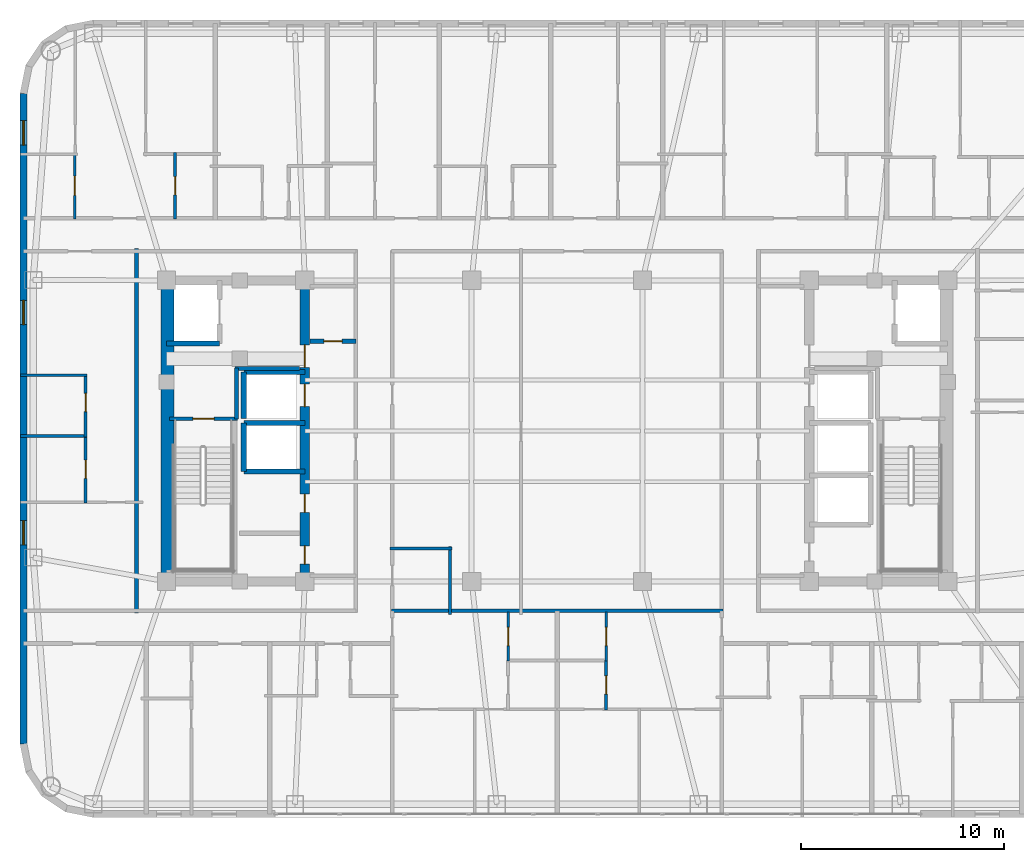
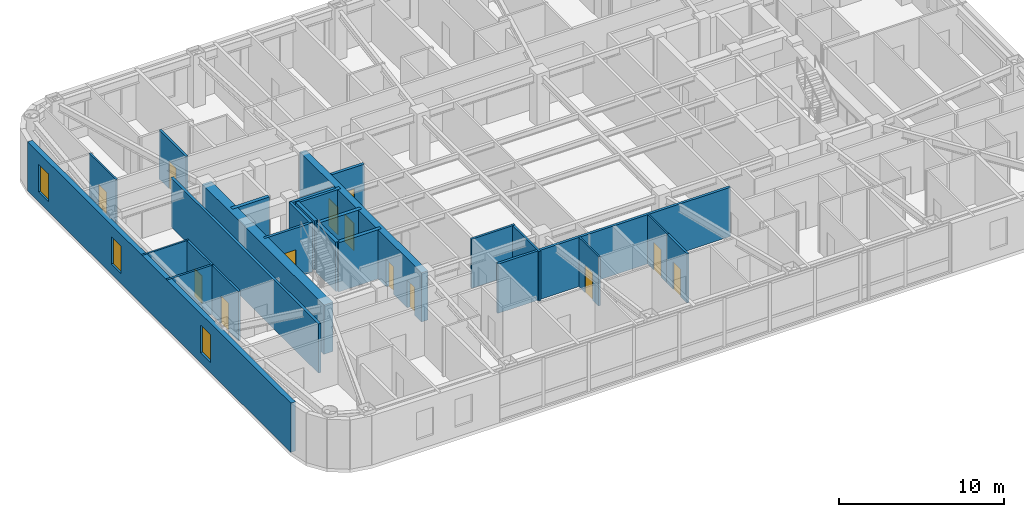
# One storey, part 9 of 17: 26 walls, 13 doors, 3 windows, 16 openings.
"""IFC4 building model written with IfcOpenShell, lengths in metres."""

from ifc_helpers import new_model, si_unit, direction, frame, frame_2d, origin, place, context, subcontext, project, spatial, rectangle, extrude, material, layer, layer_set, type_object, element, fill, save


model = new_model("IFC4")

# Units and contexts
model_context = context("Model", 3, precision=1e-05, world=origin(), true_north=direction((0.0, 1.0)))
body_context = subcontext(model_context, "Body", "Model", "MODEL_VIEW")
ifc_project = project(units=[si_unit("LENGTHUNIT", "METRE"), si_unit("AREAUNIT", "SQUARE_METRE"), si_unit("VOLUMEUNIT", "CUBIC_METRE"), si_unit("PLANEANGLEUNIT", "RADIAN"), si_unit("MASSUNIT", "GRAM", prefix="KILO")], contexts=[model_context])

# Site, building, storey
site_placement = place(None, origin())
site = spatial("IfcSite", under=ifc_project, at=site_placement, CompositionType="ELEMENT")
building_placement = place(site_placement, origin())
building = spatial("IfcBuilding", under=site, at=building_placement, Name="Voryun Gate Residences", CompositionType="ELEMENT")
storey_placement = place(building_placement, frame((0.0, 0.0, 204.10009765625)))
storey = spatial("IfcBuildingStorey", under=building, at=storey_placement, Name="L50", CompositionType="ELEMENT", Elevation=204.10009765625)

# Wall, openings, doors
ifc_material_1 = material(Name="Concrete C50/60", Category="concrete")
ifc_layer_1 = layer(ifc_material_1, 0.449951171875, Name="CW_CORE_450")
ifc_layer_set_1 = layer_set([ifc_layer_1], Name="Concrete C50/60")
wall_type_1 = type_object("IfcWallType", Name="CW_CORE_450", PredefinedType="SHEAR", material=ifc_layer_set_1)
wall_1_placement = place(storey_placement, frame((-12.39990234375, -7.39990234375, 0.0), z_axis=(0.0, 0.0, 1.0), x_axis=(0.0, 1.0, 0.0)))
wall_1 = element("IfcWall", 1, at=wall_1_placement, inside=storey, type_object=wall_type_1, Name="L50 Core shear wall CW-L50-WE", PredefinedType="SHEAR", context=body_context, shape_type="SweptSolid", body=[
    extrude(rectangle(XDim=14.7998046875, YDim=0.449951171875, at=frame_2d((7.39990234375, 0.0))), origin(), (0.0, 0.0, 1.0), 3.64990234375),
])
opening_1_placement = place(wall_1_placement, frame((8.60009765625, 0.0, 0.0)))
opening_1 = element("IfcOpeningElement", 2, at=opening_1_placement, cuts=wall_1, Name="Opening LD2", PredefinedType="OPENING", context=body_context, shape_type="SweptSolid", body=[
    extrude(rectangle(XDim=1.10009765625, YDim=2.050048828125, at=frame_2d((0.550048828125, 1.02490234375))), frame((0.0, 0.235107421875, 0.0), z_axis=(0.0, -1.0, 0.0), x_axis=(1.0, 0.0, 0.0)), (0.0, 0.0, 1.0), 0.469970703125),
])
opening_2_placement = place(wall_1_placement, frame((10.530029296875, 0.0, 0.0)))
opening_2 = element("IfcOpeningElement", 3, at=opening_2_placement, cuts=wall_1, Name="Opening D-FD60-2", PredefinedType="OPENING", context=body_context, shape_type="SweptSolid", body=[
    extrude(rectangle(XDim=1.10009765625, YDim=2.050048828125, at=frame_2d((0.550048828125, 1.02490234375))), frame((0.0, 0.235107421875, 0.0), z_axis=(0.0, -1.0, 0.0), x_axis=(1.0, 0.0, 0.0)), (0.0, 0.0, 1.0), 0.469970703125),
])
opening_3_placement = place(wall_1_placement, frame((0.85009765625, 0.0, 0.0)))
opening_3 = element("IfcOpeningElement", 4, at=opening_3_placement, cuts=wall_1, Name="Opening D-FD60-4", PredefinedType="OPENING", context=body_context, shape_type="SweptSolid", body=[
    extrude(rectangle(XDim=0.89990234375, YDim=2.050048828125, at=frame_2d((0.449951171875, 1.02490234375))), frame((0.0, 0.235107421875, 0.0), z_axis=(0.0, -1.0, 0.0), x_axis=(1.0, 0.0, 0.0)), (0.0, 0.0, 1.0), 0.469970703125),
])
opening_4_placement = place(wall_1_placement, frame((3.39990234375, 0.0, 0.0)))
opening_4 = element("IfcOpeningElement", 5, at=opening_4_placement, cuts=wall_1, Name="Opening D-FD60-4", PredefinedType="OPENING", context=body_context, shape_type="SweptSolid", body=[
    extrude(rectangle(XDim=0.89990234375, YDim=2.050048828125, at=frame_2d((0.449951171875, 1.02490234375))), frame((0.0, 0.235107421875, 0.0), z_axis=(0.0, -1.0, 0.0), x_axis=(1.0, 0.0, 0.0)), (0.0, 0.0, 1.0), 0.469970703125),
])
ifc_material_2 = material(Name="Painted steel fire door", Category="steel")
door_type_1 = type_object("IfcDoorType", Name="DR_FD60_FFLOB_1100", OperationType="NOTDEFINED", PredefinedType="DOOR", material=ifc_material_2)
door_1_placement = place(opening_2_placement, origin())
door_1 = element("IfcDoor", 6, at=door_1_placement, inside=storey, type_object=door_type_1, Name="Door DR-L50-CLOB-W", OperationType="SINGLE_SWING_LEFT", OverallHeight=2.050048828125, OverallWidth=1.10009765625, PredefinedType="DOOR", context=body_context, shape_type="SweptSolid", body=[
    extrude(rectangle(XDim=1.10009765625, YDim=2.050048828125, at=frame_2d((0.550048828125, 1.02490234375))), frame((0.0, 0.02490234375, 0.0), z_axis=(0.0, -1.0, 0.0), x_axis=(1.0, 0.0, 0.0)), (0.0, 0.0, 1.0), 0.050048828125),
])
fill(opening_2, door_1)
ifc_material_3 = material(Name="Painted steel fire door", Category="steel")
door_type_2 = type_object("IfcDoorType", Name="DR_FD60_RISER_900", OperationType="NOTDEFINED", PredefinedType="DOOR", material=ifc_material_3)
door_2_placement = place(opening_3_placement, origin())
door_2 = element("IfcDoor", 7, at=door_2_placement, inside=storey, type_object=door_type_2, Name="Door DR-L50-RECWB1", OperationType="SINGLE_SWING_LEFT", OverallHeight=2.050048828125, OverallWidth=0.89990234375, PredefinedType="DOOR", context=body_context, shape_type="SweptSolid", body=[
    extrude(rectangle(XDim=0.89990234375, YDim=2.050048828125, at=frame_2d((0.449951171875, 1.02490234375))), frame((0.0, 0.02490234375, 0.0), z_axis=(0.0, -1.0, 0.0), x_axis=(1.0, 0.0, 0.0)), (0.0, 0.0, 1.0), 0.050048828125),
])
fill(opening_3, door_2)
door_3_placement = place(opening_4_placement, origin())
door_3 = element("IfcDoor", 8, at=door_3_placement, inside=storey, type_object=door_type_2, Name="Door DR-L50-RECWB2", OperationType="SINGLE_SWING_RIGHT", OverallHeight=2.050048828125, OverallWidth=0.89990234375, PredefinedType="DOOR", context=body_context, shape_type="SweptSolid", body=[
    extrude(rectangle(XDim=0.89990234375, YDim=2.050048828125, at=frame_2d((0.449951171875, 1.02490234375))), frame((0.0, 0.02490234375, 0.0), z_axis=(0.0, -1.0, 0.0), x_axis=(1.0, 0.0, 0.0)), (0.0, 0.0, 1.0), 0.050048828125),
])
fill(opening_4, door_3)
ifc_material_4 = material(Name="Anodised aluminium", Category="aluminium")
door_type_3 = type_object("IfcDoorType", Name="DR_LD_PASS_1100", OperationType="NOTDEFINED", PredefinedType="DOOR", material=ifc_material_4)
door_4_placement = place(opening_1_placement, origin())
door_4 = element("IfcDoor", 9, at=door_4_placement, inside=storey, type_object=door_type_3, Name="Lift EL-P7 sliding landing door L50", OperationType="SLIDING_TO_LEFT", OverallHeight=2.050048828125, OverallWidth=1.10009765625, PredefinedType="DOOR", context=body_context, shape_type="SweptSolid", body=[
    extrude(rectangle(XDim=1.10009765625, YDim=2.050048828125, at=frame_2d((0.550048828125, 1.02490234375))), frame((0.0, 0.02490234375, 0.0), z_axis=(0.0, -1.0, 0.0), x_axis=(1.0, 0.0, 0.0)), (0.0, 0.0, 1.0), 0.050048828125),
])
fill(opening_1, door_4)

# Wall
ifc_material_5 = material(Name="Concrete C60/75", Category="concrete")
ifc_layer_2 = layer(ifc_material_5, 0.64990234375, Name="CW_CORE_650")
ifc_layer_set_2 = layer_set([ifc_layer_2], Name="Concrete C60/75")
wall_type_2 = type_object("IfcWallType", Name="CW_CORE_650", PredefinedType="SHEAR", material=ifc_layer_set_2)
wall_2_placement = place(storey_placement, frame((-19.14501953125, -7.39990234375, 0.0), z_axis=(0.0, 0.0, 1.0), x_axis=(0.0, 1.0, 0.0)))
element("IfcWall", 10, at=wall_2_placement, inside=storey, type_object=wall_type_2, Name="L50 Core shear wall CW-L50-WW", PredefinedType="SHEAR", context=body_context, shape_type="SweptSolid", body=[
    extrude(rectangle(XDim=14.7998046875, YDim=0.64990234375, at=frame_2d((7.39990234375, 0.0))), origin(), (0.0, 0.0, 1.0), 3.64990234375),
])

# Wall, opening, door
ifc_material_6 = material(Name="Gypsum acoustic fireboard")
ifc_layer_3 = layer(ifc_material_6, 0.179931640625, Name="W_CORR_RATED_180")
ifc_layer_set_3 = layer_set([ifc_layer_3], Name="Gypsum acoustic fireboard")
wall_type_3 = type_object("IfcWallType", Name="W_CORR_RATED_180", PredefinedType="PARTITIONING", material=ifc_layer_set_3)
wall_3_placement = place(storey_placement, frame((-19.06005859375, 0.60009765625, 0.0), z_axis=(0.0, 0.0, 1.0), x_axis=(1.0, 0.0, 0.0)))
wall_3 = element("IfcWall", 11, at=wall_3_placement, inside=storey, type_object=wall_type_3, Name="Partition wall WP-L50-STV-W", PredefinedType="PARTITIONING", context=body_context, shape_type="SweptSolid", body=[
    extrude(rectangle(XDim=3.360107421875, YDim=0.179931640625, at=frame_2d((1.68017578125, 0.0))), origin(), (0.0, 0.0, 1.0), 3.64990234375),
])
opening_5_placement = place(wall_3_placement, frame((1.155029296875, 0.0, 0.0)))
opening_5 = element("IfcOpeningElement", 12, at=opening_5_placement, cuts=wall_3, Name="Opening D-FD60-1", PredefinedType="OPENING", context=body_context, shape_type="SweptSolid", body=[
    extrude(rectangle(XDim=1.050048828125, YDim=2.050048828125, at=frame_2d((0.52490234375, 1.02490234375))), frame((0.0, 0.099853515625, 0.0), z_axis=(0.0, -1.0, 0.0), x_axis=(1.0, 0.0, 0.0)), (0.0, 0.0, 1.0), 0.199951171875),
])
ifc_material_7 = material(Name="Painted steel fire door", Category="steel")
door_type_4 = type_object("IfcDoorType", Name="DR_FD60_STAIR_1050", OperationType="NOTDEFINED", PredefinedType="DOOR", material=ifc_material_7)
door_5_placement = place(opening_5_placement, origin())
door_5 = element("IfcDoor", 13, at=door_5_placement, inside=storey, type_object=door_type_4, Name="Door DR-L50-ST-W", OperationType="SINGLE_SWING_LEFT", OverallHeight=2.050048828125, OverallWidth=1.050048828125, PredefinedType="DOOR", context=body_context, shape_type="SweptSolid", body=[
    extrude(rectangle(XDim=1.050048828125, YDim=2.050048828125, at=frame_2d((0.52490234375, 1.02490234375))), frame((0.0, 0.02490234375, 0.0), z_axis=(0.0, -1.0, 0.0), x_axis=(1.0, 0.0, 0.0)), (0.0, 0.0, 1.0), 0.050048828125),
])
fill(opening_5, door_5)

# Walls
wall_4_placement = place(storey_placement, frame((-8.14990234375, -8.840087890625, 0.0), z_axis=(0.0, 0.0, 1.0), x_axis=(1.0, 0.0, 0.0)))
element("IfcWall", 14, at=wall_4_placement, inside=storey, type_object=wall_type_3, Name="Partition wall WP-L50-Z3S", PredefinedType="PARTITIONING", context=body_context, shape_type="SweptSolid", body=[
    extrude(rectangle(XDim=16.2998046875, YDim=0.179931640625, at=frame_2d((8.14990234375, 0.0))), origin(), (0.0, 0.0, 1.0), 3.64990234375),
])
wall_5_placement = place(storey_placement, frame((-20.669921875, -8.9599609375, 0.0), z_axis=(0.0, 0.0, 1.0), x_axis=(0.0, 1.0, 0.0)))
element("IfcWall", 15, at=wall_5_placement, inside=storey, type_object=wall_type_3, Name="Partition wall WP-L50-WCOR", PredefinedType="PARTITIONING", context=body_context, shape_type="SweptSolid", body=[
    extrude(rectangle(XDim=17.919921875, YDim=0.179931640625, at=frame_2d((8.9599609375, 0.0))), origin(), (0.0, 0.0, 1.0), 3.64990234375),
])

# Wall, openings, windows
ifc_material_8 = material(Name="Charcoal terracotta masonry", Category="masonry")
ifc_layer_4 = layer(ifc_material_8, 0.340087890625, Name="W_EXT_TERRACOTTA_340")
ifc_layer_set_4 = layer_set([ifc_layer_4], Name="Charcoal terracotta masonry")
wall_type_4 = type_object("IfcWallType", Name="W_EXT_TERRACOTTA_340", PredefinedType="ELEMENTEDWALL", material=ifc_layer_set_4)
wall_6_placement = place(storey_placement, frame((-26.22998046875, -15.38330078125, 0.0), z_axis=(0.0, 0.0, 1.0), x_axis=(0.0, 1.0, 0.0)))
wall_6 = element("IfcWall", 16, at=wall_6_placement, inside=storey, type_object=wall_type_4, Name="Exterior wall WEXT-L50-06", PredefinedType="ELEMENTEDWALL", context=body_context, shape_type="SweptSolid", body=[
    extrude(rectangle(XDim=31.966552734375, YDim=0.340087890625, at=frame_2d((15.9833984375, 0.0))), origin(), (0.0, 0.0, 1.0), 3.64990234375),
])
opening_6_placement = place(wall_6_placement, frame((29.431396484375, 0.0, 0.75)))
opening_6 = element("IfcOpeningElement", 17, at=opening_6_placement, cuts=wall_6, Name="Opening WN6", PredefinedType="OPENING", context=body_context, shape_type="SweptSolid", body=[
    extrude(rectangle(XDim=1.199951171875, YDim=2.050048828125, at=frame_2d((0.60009765625, 1.02490234375))), frame((0.0, 0.179931640625, 0.0), z_axis=(0.0, -1.0, 0.0), x_axis=(1.0, 0.0, 0.0)), (0.0, 0.0, 1.0), 0.360107421875),
])
opening_7_placement = place(wall_6_placement, frame((20.603271484375, 0.0, 0.75)))
opening_7 = element("IfcOpeningElement", 18, at=opening_7_placement, cuts=wall_6, Name="Opening WN6", PredefinedType="OPENING", context=body_context, shape_type="SweptSolid", body=[
    extrude(rectangle(XDim=1.199951171875, YDim=2.050048828125, at=frame_2d((0.60009765625, 1.02490234375))), frame((0.0, 0.179931640625, 0.0), z_axis=(0.0, -1.0, 0.0), x_axis=(1.0, 0.0, 0.0)), (0.0, 0.0, 1.0), 0.360107421875),
])
opening_8_placement = place(wall_6_placement, frame((9.7783203125, 0.0, 0.75)))
opening_8 = element("IfcOpeningElement", 19, at=opening_8_placement, cuts=wall_6, Name="Opening WN6", PredefinedType="OPENING", context=body_context, shape_type="SweptSolid", body=[
    extrude(rectangle(XDim=1.199951171875, YDim=2.050048828125, at=frame_2d((0.60009765625, 1.02490234375))), frame((0.0, 0.179931640625, 0.0), z_axis=(0.0, -1.0, 0.0), x_axis=(1.0, 0.0, 0.0)), (0.0, 0.0, 1.0), 0.360107421875),
])
ifc_material_9 = material(Name="Laminated low-E glass", Category="glass")
window_type = type_object("IfcWindowType", Name="WN_POD_SLOT_1200", PartitioningType="SINGLE_PANEL", PredefinedType="WINDOW", material=ifc_material_9)
window_1_placement = place(opening_6_placement, origin())
window_1 = element("IfcWindow", 20, at=window_1_placement, inside=storey, type_object=window_type, Name="Window WN-L50-DWFIX-02", OverallHeight=2.050048828125, OverallWidth=1.199951171875, PartitioningType="SINGLE_PANEL", PredefinedType="WINDOW", context=body_context, shape_type="SweptSolid", body=[
    extrude(rectangle(XDim=1.199951171875, YDim=2.050048828125, at=frame_2d((0.60009765625, 1.02490234375))), frame((0.0, 0.030029296875, 0.0), z_axis=(0.0, -1.0, 0.0), x_axis=(1.0, 0.0, 0.0)), (0.0, 0.0, 1.0), 0.06005859375),
])
fill(opening_6, window_1)
window_2_placement = place(opening_7_placement, origin())
window_2 = element("IfcWindow", 21, at=window_2_placement, inside=storey, type_object=window_type, Name="Window WN-L50-DWFIX-20", OverallHeight=2.050048828125, OverallWidth=1.199951171875, PartitioningType="SINGLE_PANEL", PredefinedType="WINDOW", context=body_context, shape_type="SweptSolid", body=[
    extrude(rectangle(XDim=1.199951171875, YDim=2.050048828125, at=frame_2d((0.60009765625, 1.02490234375))), frame((0.0, 0.030029296875, 0.0), z_axis=(0.0, -1.0, 0.0), x_axis=(1.0, 0.0, 0.0)), (0.0, 0.0, 1.0), 0.06005859375),
])
fill(opening_7, window_2)
window_3_placement = place(opening_8_placement, origin())
window_3 = element("IfcWindow", 22, at=window_3_placement, inside=storey, type_object=window_type, Name="Window WN-L50-DWFIX-21", OverallHeight=2.050048828125, OverallWidth=1.199951171875, PartitioningType="SINGLE_PANEL", PredefinedType="WINDOW", context=body_context, shape_type="SweptSolid", body=[
    extrude(rectangle(XDim=1.199951171875, YDim=2.050048828125, at=frame_2d((0.60009765625, 1.02490234375))), frame((0.0, 0.030029296875, 0.0), z_axis=(0.0, -1.0, 0.0), x_axis=(1.0, 0.0, 0.0)), (0.0, 0.0, 1.0), 0.06005859375),
])
fill(opening_8, window_3)

# Walls
ifc_material_10 = material(Name="Concrete C40/50", Category="concrete")
ifc_layer_5 = layer(ifc_material_10, 0.199951171875, Name="W_FF_LOBBY_200")
ifc_layer_set_5 = layer_set([ifc_layer_5], Name="Concrete C40/50")
wall_type_5 = type_object("IfcWallType", Name="W_FF_LOBBY_200", PredefinedType="PARTITIONING", material=ifc_layer_set_5)
wall_7_placement = place(storey_placement, frame((-15.760009765625, 0.580078125, 0.0), z_axis=(0.0, 0.0, 1.0), x_axis=(0.0, 1.0, 0.0)))
element("IfcWall", 23, at=wall_7_placement, inside=storey, type_object=wall_type_5, Name="Partition wall WP-L50-FFP0-W", PredefinedType="PARTITIONING", context=body_context, shape_type="SweptSolid", body=[
    extrude(rectangle(XDim=2.52001953125, YDim=0.199951171875, at=frame_2d((1.260009765625, 0.0))), origin(), (0.0, 0.0, 1.0), 3.64990234375),
])
wall_8_placement = place(storey_placement, frame((-15.820068359375, 3.06005859375, 0.0), z_axis=(0.0, 0.0, 1.0), x_axis=(1.0, 0.0, 0.0)))
element("IfcWall", 24, at=wall_8_placement, inside=storey, type_object=wall_type_5, Name="Partition wall WP-L50-FFPS-W", PredefinedType="PARTITIONING", context=body_context, shape_type="SweptSolid", body=[
    extrude(rectangle(XDim=3.16015625, YDim=0.199951171875, at=frame_2d((1.580078125, 0.0))), origin(), (0.0, 0.0, 1.0), 3.64990234375),
])

# Wall, opening, door
wall_9_placement = place(storey_placement, frame((-12.14990234375, 4.409912109375, 0.0), z_axis=(0.0, 0.0, 1.0), x_axis=(1.0, 0.0, 0.0)))
wall_9 = element("IfcWall", 25, at=wall_9_placement, inside=storey, type_object=wall_type_5, Name="Partition wall WP-L50-CSFLKS-W", PredefinedType="PARTITIONING", context=body_context, shape_type="SweptSolid", body=[
    extrude(rectangle(XDim=2.27001953125, YDim=0.199951171875, at=frame_2d((1.135009765625, 0.0))), origin(), (0.0, 0.0, 1.0), 3.64990234375),
])
opening_9_placement = place(wall_9_placement, frame((0.68505859375, 0.0, 0.0)))
opening_9 = element("IfcOpeningElement", 26, at=opening_9_placement, cuts=wall_9, Name="Opening D-FD60-4", PredefinedType="OPENING", context=body_context, shape_type="SweptSolid", body=[
    extrude(rectangle(XDim=0.89990234375, YDim=2.050048828125, at=frame_2d((0.449951171875, 1.02490234375))), frame((0.0, 0.110107421875, 0.0), z_axis=(0.0, -1.0, 0.0), x_axis=(1.0, 0.0, 0.0)), (0.0, 0.0, 1.0), 0.219970703125),
])
door_6_placement = place(opening_9_placement, origin())
door_6 = element("IfcDoor", 27, at=door_6_placement, inside=storey, type_object=door_type_2, Name="Door DR-L50-CSFLK-W", OperationType="SINGLE_SWING_LEFT", OverallHeight=2.050048828125, OverallWidth=0.89990234375, PredefinedType="DOOR", context=body_context, shape_type="SweptSolid", body=[
    extrude(rectangle(XDim=0.89990234375, YDim=2.050048828125, at=frame_2d((0.449951171875, 1.02490234375))), frame((0.0, 0.02490234375, 0.0), z_axis=(0.0, -1.0, 0.0), x_axis=(1.0, 0.0, 0.0)), (0.0, 0.0, 1.0), 0.050048828125),
])
fill(opening_9, door_6)

# Walls
ifc_material_11 = material(Name="Concrete C50/60", Category="concrete")
ifc_layer_6 = layer(ifc_material_11, 0.25, Name="W_SHAFT_RC250")
ifc_layer_set_6 = layer_set([ifc_layer_6], Name="Concrete C50/60")
wall_type_6 = type_object("IfcWallType", Name="W_SHAFT_RC250", PredefinedType="SOLIDWALL", material=ifc_layer_set_6)
wall_10_placement = place(storey_placement, frame((-19.199951171875, 4.300048828125, 0.0), z_axis=(0.0, 0.0, 1.0), x_axis=(1.0, 0.0, 0.0)))
element("IfcWall", 28, at=wall_10_placement, inside=storey, type_object=wall_type_6, Name="Lift shaft wall WSH-L50-EL-FF-W1-S", PredefinedType="SOLIDWALL", context=body_context, shape_type="SweptSolid", body=[
    extrude(rectangle(XDim=2.599853515625, YDim=0.25, at=frame_2d((1.2998046875, 0.0))), origin(), (0.0, 0.0, 1.0), 3.64990234375),
])
for number, where, z_axis, x_axis, name in (
    (29, (-15.39990234375, -2.0, 0.0), (0.0, 0.0, 1.0), (1.0, 0.0, 0.0), "Lift shaft wall WSH-L50-EL-P4-S"),
    (30, (-12.39990234375, 0.39990234375, 0.0), (0.0, 0.0, 1.0), (-1.0, 0.0, 0.0), "Lift shaft wall WSH-L50-EL-P4-N"),
):
    element("IfcWall", number, at=place(storey_placement, frame(where, z_axis=z_axis, x_axis=x_axis)), inside=storey, type_object=wall_type_6, Name=name, PredefinedType="SOLIDWALL", context=body_context, shape_type="SweptSolid", body=[
        extrude(rectangle(XDim=3.0, YDim=0.25, at=frame_2d((1.5, 0.0))), origin(), (0.0, 0.0, 1.0), 3.64990234375),
    ])
wall_11_placement = place(storey_placement, frame((-15.39990234375, 0.39990234375, 0.0), z_axis=(0.0, 0.0, 1.0), x_axis=(0.0, -1.0, 0.0)))
element("IfcWall", 31, at=wall_11_placement, inside=storey, type_object=wall_type_6, Name="Lift shaft wall WSH-L50-EL-P4-W", PredefinedType="SOLIDWALL", context=body_context, shape_type="SweptSolid", body=[
    extrude(rectangle(XDim=2.39990234375, YDim=0.25, at=frame_2d((1.199951171875, 0.0))), origin(), (0.0, 0.0, 1.0), 3.64990234375),
])
wall_12_placement = place(storey_placement, frame((-12.39990234375, 2.89990234375, 0.0), z_axis=(0.0, 0.0, 1.0), x_axis=(-1.0, 0.0, 0.0)))
element("IfcWall", 32, at=wall_12_placement, inside=storey, type_object=wall_type_6, Name="Lift shaft wall WSH-L50-EL-P7-N", PredefinedType="SOLIDWALL", context=body_context, shape_type="SweptSolid", body=[
    extrude(rectangle(XDim=3.0, YDim=0.25, at=frame_2d((1.5, 0.0))), origin(), (0.0, 0.0, 1.0), 3.64990234375),
])
wall_13_placement = place(storey_placement, frame((-15.39990234375, 2.89990234375, 0.0), z_axis=(0.0, 0.0, 1.0), x_axis=(0.0, -1.0, 0.0)))
element("IfcWall", 33, at=wall_13_placement, inside=storey, type_object=wall_type_6, Name="Lift shaft wall WSH-L50-EL-P7-W", PredefinedType="SOLIDWALL", context=body_context, shape_type="SweptSolid", body=[
    extrude(rectangle(XDim=2.2998046875, YDim=0.25, at=frame_2d((1.14990234375, 0.0))), origin(), (0.0, 0.0, 1.0), 3.64990234375),
])

# Wall, opening, door
ifc_material_12 = material(Name="Gypsum acoustic partition")
ifc_layer_7 = layer(ifc_material_12, 0.125, Name="W_UNIT_PART_125")
ifc_layer_set_7 = layer_set([ifc_layer_7], Name="Gypsum acoustic partition")
wall_type_7 = type_object("IfcWallType", Name="W_UNIT_PART_125", PredefinedType="PARTITIONING", material=ifc_layer_set_7)
wall_14_placement = place(storey_placement, frame((-23.705078125, 10.429931640625, 0.0), z_axis=(0.0, 0.0, 1.0), x_axis=(0.0, 1.0, 0.0)))
wall_14 = element("IfcWall", 34, at=wall_14_placement, inside=storey, type_object=wall_type_7, Name="Partition wall WP-L50-N1-IVK", PredefinedType="PARTITIONING", context=body_context, shape_type="SweptSolid", body=[
    extrude(rectangle(XDim=3.235595703125, YDim=0.125, at=frame_2d((1.61767578125, 0.0))), origin(), (0.0, 0.0, 1.0), 3.64990234375),
])
opening_10_placement = place(wall_14_placement, frame((1.151611328125, 0.0, 0.0)))
opening_10 = element("IfcOpeningElement", 35, at=opening_10_placement, cuts=wall_14, Name="Opening D-INT-1", PredefinedType="OPENING", context=body_context, shape_type="SweptSolid", body=[
    extrude(rectangle(XDim=0.949951171875, YDim=2.050048828125, at=frame_2d((0.47509765625, 1.02490234375))), frame((0.0, 0.072509765625, 0.0), z_axis=(0.0, -1.0, 0.0), x_axis=(1.0, 0.0, 0.0)), (0.0, 0.0, 1.0), 0.14501953125),
])
ifc_material_13 = material(Name="Architectural oak veneer")
door_type_5 = type_object("IfcDoorType", Name="DR_INT_ROOM_950", OperationType="NOTDEFINED", PredefinedType="DOOR", material=ifc_material_13)
door_7_placement = place(opening_10_placement, origin())
door_7 = element("IfcDoor", 36, at=door_7_placement, inside=storey, type_object=door_type_5, Name="Door DR-L50-N1-DK", OperationType="SINGLE_SWING_LEFT", OverallHeight=2.050048828125, OverallWidth=0.949951171875, PredefinedType="DOOR", context=body_context, shape_type="SweptSolid", body=[
    extrude(rectangle(XDim=0.949951171875, YDim=2.050048828125, at=frame_2d((0.47509765625, 1.02490234375))), frame((0.0, 0.02490234375, 0.0), z_axis=(0.0, -1.0, 0.0), x_axis=(1.0, 0.0, 0.0)), (0.0, 0.0, 1.0), 0.050048828125),
])
fill(opening_10, door_7)

wall_15_placement = place(storey_placement, frame((-2.409912109375, -11.31005859375, 0.0), z_axis=(0.0, 0.0, 1.0), x_axis=(0.0, 1.0, 0.0)))
wall_15 = element("IfcWall", 37, at=wall_15_placement, inside=storey, type_object=wall_type_7, Name="Partition wall WP-L50-SC1-VK1", PredefinedType="PARTITIONING", context=body_context, shape_type="SweptSolid", body=[
    extrude(rectangle(XDim=2.41015625, YDim=0.125, at=frame_2d((1.205078125, 0.0))), origin(), (0.0, 0.0, 1.0), 3.64990234375),
])
opening_11_placement = place(wall_15_placement, frame((0.7548828125, 0.0, 0.0)))
opening_11 = element("IfcOpeningElement", 38, at=opening_11_placement, cuts=wall_15, Name="Opening D-INT-2", PredefinedType="OPENING", context=body_context, shape_type="SweptSolid", body=[
    extrude(rectangle(XDim=0.89990234375, YDim=2.050048828125, at=frame_2d((0.449951171875, 1.02490234375))), frame((0.0, 0.072509765625, 0.0), z_axis=(0.0, -1.0, 0.0), x_axis=(1.0, 0.0, 0.0)), (0.0, 0.0, 1.0), 0.14501953125),
])
ifc_material_14 = material(Name="Architectural oak veneer")
door_type_6 = type_object("IfcDoorType", Name="DR_INT_BATH_900", OperationType="NOTDEFINED", PredefinedType="DOOR", material=ifc_material_14)
door_8_placement = place(opening_11_placement, origin())
door_8 = element("IfcDoor", 39, at=door_8_placement, inside=storey, type_object=door_type_6, Name="Door DR-L50-SC1-DK", OperationType="SINGLE_SWING_LEFT", OverallHeight=2.050048828125, OverallWidth=0.89990234375, PredefinedType="DOOR", context=body_context, shape_type="SweptSolid", body=[
    extrude(rectangle(XDim=0.89990234375, YDim=2.050048828125, at=frame_2d((0.449951171875, 1.02490234375))), frame((0.0, 0.02490234375, 0.0), z_axis=(0.0, -1.0, 0.0), x_axis=(1.0, 0.0, 0.0)), (0.0, 0.0, 1.0), 0.050048828125),
])
fill(opening_11, door_8)

wall_16_placement = place(storey_placement, frame((2.409912109375, -11.31005859375, 0.0), z_axis=(0.0, 0.0, 1.0), x_axis=(0.0, 1.0, 0.0)))
wall_16 = element("IfcWall", 40, at=wall_16_placement, inside=storey, type_object=wall_type_7, Name="Partition wall WP-L50-SC2-VK1", PredefinedType="PARTITIONING", context=body_context, shape_type="SweptSolid", body=[
    extrude(rectangle(XDim=2.41015625, YDim=0.125, at=frame_2d((1.205078125, 0.0))), origin(), (0.0, 0.0, 1.0), 3.64990234375),
])
opening_12_placement = place(wall_16_placement, frame((0.7548828125, 0.0, 0.0)))
opening_12 = element("IfcOpeningElement", 41, at=opening_12_placement, cuts=wall_16, Name="Opening D-INT-2", PredefinedType="OPENING", context=body_context, shape_type="SweptSolid", body=[
    extrude(rectangle(XDim=0.89990234375, YDim=2.050048828125, at=frame_2d((0.449951171875, 1.02490234375))), frame((0.0, 0.072509765625, 0.0), z_axis=(0.0, -1.0, 0.0), x_axis=(1.0, 0.0, 0.0)), (0.0, 0.0, 1.0), 0.14501953125),
])
door_9_placement = place(opening_12_placement, origin())
door_9 = element("IfcDoor", 42, at=door_9_placement, inside=storey, type_object=door_type_6, Name="Door DR-L50-SC2-DK", OperationType="SINGLE_SWING_LEFT", OverallHeight=2.050048828125, OverallWidth=0.89990234375, PredefinedType="DOOR", context=body_context, shape_type="SweptSolid", body=[
    extrude(rectangle(XDim=0.89990234375, YDim=2.050048828125, at=frame_2d((0.449951171875, 1.02490234375))), frame((0.0, 0.02490234375, 0.0), z_axis=(0.0, -1.0, 0.0), x_axis=(1.0, 0.0, 0.0)), (0.0, 0.0, 1.0), 0.050048828125),
])
fill(opening_12, door_9)

# Walls
wall_17_placement = place(storey_placement, frame((-26.3798828125, 2.739990234375, 0.0), z_axis=(0.0, 0.0, 1.0), x_axis=(1.0, 0.0, 0.0)))
element("IfcWall", 43, at=wall_17_placement, inside=storey, type_object=wall_type_7, Name="Partition wall WP-L50-W1-HZ1", PredefinedType="PARTITIONING", context=body_context, shape_type="SweptSolid", body=[
    extrude(rectangle(XDim=3.284912109375, YDim=0.125, at=frame_2d((1.642578125, 0.0))), origin(), (0.0, 0.0, 1.0), 3.64990234375),
])
ifc_material_15 = material(Name="Gypsum moisture-resistant partition")
ifc_layer_8 = layer(ifc_material_15, 0.14990234375, Name="W_WET_PLUMB_150")
ifc_layer_set_8 = layer_set([ifc_layer_8], Name="Gypsum moisture-resistant partition")
wall_type_8 = type_object("IfcWallType", Name="W_WET_PLUMB_150", PredefinedType="PLUMBINGWALL", material=ifc_layer_set_8)
wall_18_placement = place(storey_placement, frame((-5.260009765625, -9.02001953125, 0.0), z_axis=(0.0, 0.0, 1.0), x_axis=(0.0, 1.0, 0.0)))
element("IfcWall", 44, at=wall_18_placement, inside=storey, type_object=wall_type_8, Name="Partition wall WP-L50-CMWCX", PredefinedType="PLUMBINGWALL", context=body_context, shape_type="SweptSolid", body=[
    extrude(rectangle(XDim=3.35009765625, YDim=0.14990234375, at=frame_2d((1.675048828125, 0.0))), origin(), (0.0, 0.0, 1.0), 3.64990234375),
])
wall_19_placement = place(storey_placement, frame((-8.2099609375, -5.77001953125, 0.0), z_axis=(0.0, 0.0, 1.0), x_axis=(1.0, 0.0, 0.0)))
element("IfcWall", 45, at=wall_19_placement, inside=storey, type_object=wall_type_8, Name="Partition wall WP-L50-CMWCY", PredefinedType="PLUMBINGWALL", context=body_context, shape_type="SweptSolid", body=[
    extrude(rectangle(XDim=3.050048828125, YDim=0.14990234375, at=frame_2d((1.52490234375, 0.0))), origin(), (0.0, 0.0, 1.0), 3.64990234375),
])

# Wall, opening, door
wall_20_placement = place(storey_placement, frame((-18.780029296875, 10.429931640625, 0.0), z_axis=(0.0, 0.0, 1.0), x_axis=(0.0, 1.0, 0.0)))
wall_20 = element("IfcWall", 46, at=wall_20_placement, inside=storey, type_object=wall_type_8, Name="Partition wall WP-L50-N1-IVB", PredefinedType="PLUMBINGWALL", context=body_context, shape_type="SweptSolid", body=[
    extrude(rectangle(XDim=3.253173828125, YDim=0.14990234375, at=frame_2d((1.62646484375, 0.0))), origin(), (0.0, 0.0, 1.0), 3.64990234375),
])
opening_13_placement = place(wall_20_placement, frame((1.176513671875, 0.0, 0.0)))
opening_13 = element("IfcOpeningElement", 47, at=opening_13_placement, cuts=wall_20, Name="Opening D-INT-2", PredefinedType="OPENING", context=body_context, shape_type="SweptSolid", body=[
    extrude(rectangle(XDim=0.89990234375, YDim=2.050048828125, at=frame_2d((0.449951171875, 1.02490234375))), frame((0.0, 0.0849609375, 0.0), z_axis=(0.0, -1.0, 0.0), x_axis=(1.0, 0.0, 0.0)), (0.0, 0.0, 1.0), 0.169921875),
])
door_10_placement = place(opening_13_placement, origin())
door_10 = element("IfcDoor", 48, at=door_10_placement, inside=storey, type_object=door_type_6, Name="Door DR-L50-N1-DB", OperationType="SINGLE_SWING_RIGHT", OverallHeight=2.050048828125, OverallWidth=0.89990234375, PredefinedType="DOOR", context=body_context, shape_type="SweptSolid", body=[
    extrude(rectangle(XDim=0.89990234375, YDim=2.050048828125, at=frame_2d((0.449951171875, 1.02490234375))), frame((0.0, 0.02490234375, 0.0), z_axis=(0.0, -1.0, 0.0), x_axis=(1.0, 0.0, 0.0)), (0.0, 0.0, 1.0), 0.050048828125),
])
fill(opening_13, door_10)

wall_21_placement = place(storey_placement, frame((2.409912109375, -13.719970703125, 0.0), z_axis=(0.0, 0.0, 1.0), x_axis=(0.0, 1.0, 0.0)))
wall_21 = element("IfcWall", 49, at=wall_21_placement, inside=storey, type_object=wall_type_8, Name="Partition wall WP-L50-SC2-VK2", PredefinedType="PLUMBINGWALL", context=body_context, shape_type="SweptSolid", body=[
    extrude(rectangle(XDim=2.469970703125, YDim=0.14990234375, at=frame_2d((1.23486328125, 0.0))), origin(), (0.0, 0.0, 1.0), 3.64990234375),
])
opening_14_placement = place(wall_21_placement, frame((0.784912109375, 0.0, 0.0)))
opening_14 = element("IfcOpeningElement", 50, at=opening_14_placement, cuts=wall_21, Name="Opening D-INT-2", PredefinedType="OPENING", context=body_context, shape_type="SweptSolid", body=[
    extrude(rectangle(XDim=0.89990234375, YDim=2.050048828125, at=frame_2d((0.449951171875, 1.02490234375))), frame((0.0, 0.0849609375, 0.0), z_axis=(0.0, -1.0, 0.0), x_axis=(1.0, 0.0, 0.0)), (0.0, 0.0, 1.0), 0.169921875),
])
door_11_placement = place(opening_14_placement, origin())
door_11 = element("IfcDoor", 51, at=door_11_placement, inside=storey, type_object=door_type_6, Name="Door DR-L50-SC2-DB", OperationType="SINGLE_SWING_RIGHT", OverallHeight=2.050048828125, OverallWidth=0.89990234375, PredefinedType="DOOR", context=body_context, shape_type="SweptSolid", body=[
    extrude(rectangle(XDim=0.89990234375, YDim=2.050048828125, at=frame_2d((0.449951171875, 1.02490234375))), frame((0.0, 0.02490234375, 0.0), z_axis=(0.0, -1.0, 0.0), x_axis=(1.0, 0.0, 0.0)), (0.0, 0.0, 1.0), 0.050048828125),
])
fill(opening_14, door_11)

# Wall
wall_22_placement = place(storey_placement, frame((-26.3798828125, -0.260009765625, 0.0), z_axis=(0.0, 0.0, 1.0), x_axis=(1.0, 0.0, 0.0)))
element("IfcWall", 52, at=wall_22_placement, inside=storey, type_object=wall_type_8, Name="Partition wall WP-L50-W1-HZ2", PredefinedType="PLUMBINGWALL", context=body_context, shape_type="SweptSolid", body=[
    extrude(rectangle(XDim=3.284912109375, YDim=0.14990234375, at=frame_2d((1.642578125, 0.0))), origin(), (0.0, 0.0, 1.0), 3.64990234375),
])

# Wall, opening, door
wall_23_placement = place(storey_placement, frame((-23.175048828125, -3.550048828125, 0.0), z_axis=(0.0, 0.0, 1.0), x_axis=(0.0, 1.0, 0.0)))
wall_23 = element("IfcWall", 53, at=wall_23_placement, inside=storey, type_object=wall_type_8, Name="Partition wall WP-L50-W1-VKB1", PredefinedType="PLUMBINGWALL", context=body_context, shape_type="SweptSolid", body=[
    extrude(rectangle(XDim=3.330078125, YDim=0.14990234375, at=frame_2d((1.6650390625, 0.0))), origin(), (0.0, 0.0, 1.0), 3.64990234375),
])
opening_15_placement = place(wall_23_placement, frame((1.215087890625, 0.0, 0.0)))
opening_15 = element("IfcOpeningElement", 54, at=opening_15_placement, cuts=wall_23, Name="Opening D-INT-2", PredefinedType="OPENING", context=body_context, shape_type="SweptSolid", body=[
    extrude(rectangle(XDim=0.89990234375, YDim=2.050048828125, at=frame_2d((0.449951171875, 1.02490234375))), frame((0.0, 0.0849609375, 0.0), z_axis=(0.0, -1.0, 0.0), x_axis=(1.0, 0.0, 0.0)), (0.0, 0.0, 1.0), 0.169921875),
])
door_12_placement = place(opening_15_placement, origin())
door_12 = element("IfcDoor", 55, at=door_12_placement, inside=storey, type_object=door_type_6, Name="Door DR-L50-W1-DB", OperationType="SINGLE_SWING_LEFT", OverallHeight=2.050048828125, OverallWidth=0.89990234375, PredefinedType="DOOR", context=body_context, shape_type="SweptSolid", body=[
    extrude(rectangle(XDim=0.89990234375, YDim=2.050048828125, at=frame_2d((0.449951171875, 1.02490234375))), frame((0.0, 0.02490234375, 0.0), z_axis=(0.0, -1.0, 0.0), x_axis=(1.0, 0.0, 0.0)), (0.0, 0.0, 1.0), 0.050048828125),
])
fill(opening_15, door_12)

wall_24_placement = place(storey_placement, frame((-23.175048828125, -0.300048828125, 0.0), z_axis=(0.0, 0.0, 1.0), x_axis=(0.0, 1.0, 0.0)))
wall_24 = element("IfcWall", 56, at=wall_24_placement, inside=storey, type_object=wall_type_8, Name="Partition wall WP-L50-W1-VKB2", PredefinedType="PLUMBINGWALL", context=body_context, shape_type="SweptSolid", body=[
    extrude(rectangle(XDim=3.080078125, YDim=0.14990234375, at=frame_2d((1.5400390625, 0.0))), origin(), (0.0, 0.0, 1.0), 3.64990234375),
])
opening_16_placement = place(wall_24_placement, frame((1.243896484375, 0.0, 0.0)))
opening_16 = element("IfcOpeningElement", 57, at=opening_16_placement, cuts=wall_24, Name="Opening D-INT-2", PredefinedType="OPENING", context=body_context, shape_type="SweptSolid", body=[
    extrude(rectangle(XDim=0.89990234375, YDim=2.050048828125, at=frame_2d((0.449951171875, 1.02490234375))), frame((0.0, 0.0849609375, 0.0), z_axis=(0.0, -1.0, 0.0), x_axis=(1.0, 0.0, 0.0)), (0.0, 0.0, 1.0), 0.169921875),
])
door_13_placement = place(opening_16_placement, origin())
door_13 = element("IfcDoor", 58, at=door_13_placement, inside=storey, type_object=door_type_6, Name="Door DR-L50-W1-DK", OperationType="SINGLE_SWING_RIGHT", OverallHeight=2.050048828125, OverallWidth=0.89990234375, PredefinedType="DOOR", context=body_context, shape_type="SweptSolid", body=[
    extrude(rectangle(XDim=0.89990234375, YDim=2.050048828125, at=frame_2d((0.449951171875, 1.02490234375))), frame((0.0, 0.02490234375, 0.0), z_axis=(0.0, -1.0, 0.0), x_axis=(1.0, 0.0, 0.0)), (0.0, 0.0, 1.0), 0.050048828125),
])
fill(opening_16, door_13)

save(model, "model.ifc")
